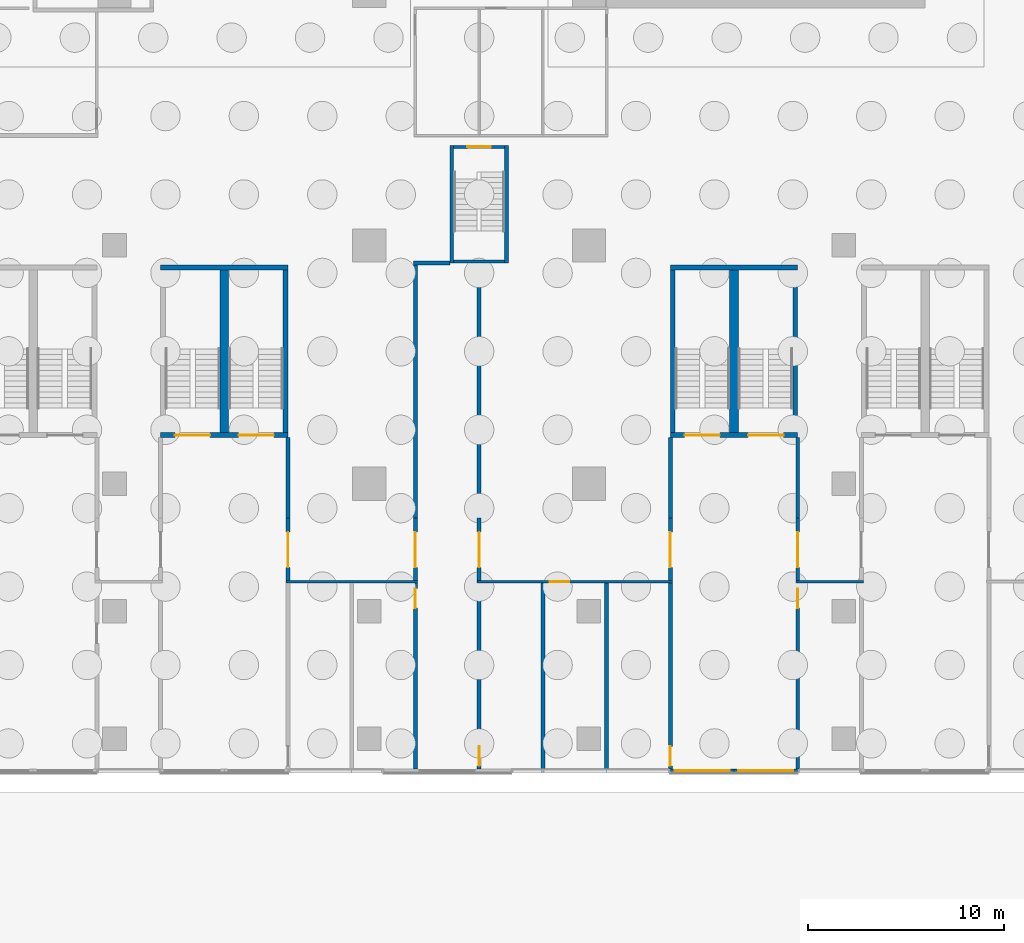
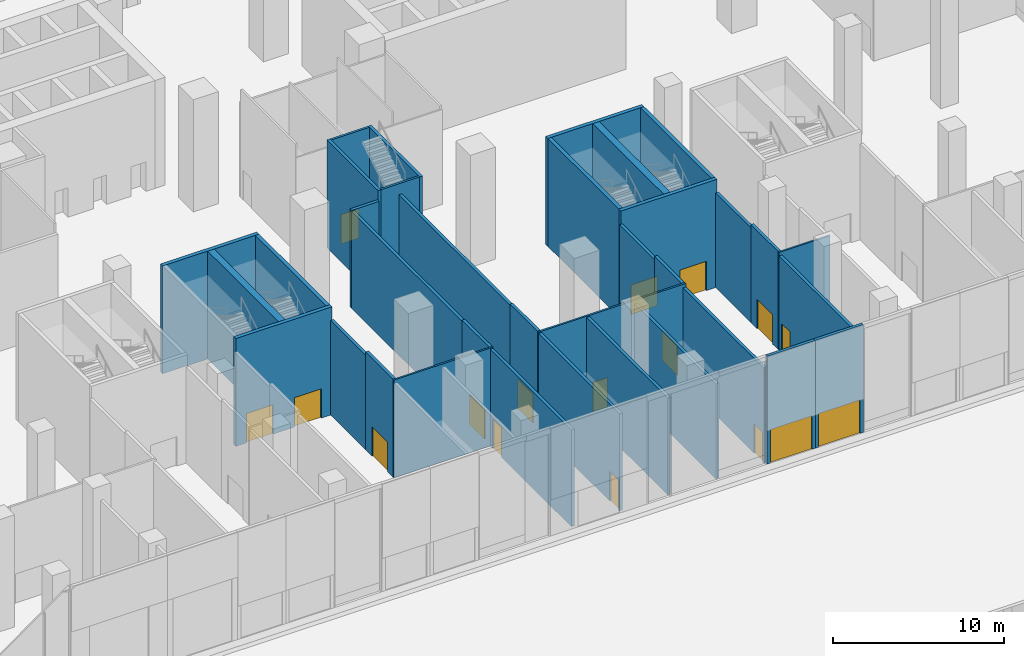
# One storey, part 17 of 27: 35 walls, 17 doors, 17 openings.
"""IFC4 building model written with IfcOpenShell, lengths in metres."""

from ifc_helpers import new_model, si_unit, direction, frame, frame_2d, origin, place, context, subcontext, project, spatial, rectangle, extrude, source, transform, mapped, material, layer, layer_set, type_object, element, fill, save


model = new_model("IFC4")

# Units and contexts
model_context = context("Model", 3, precision=1e-05, world=origin(), true_north=direction((0.0, 1.0)))
body_context = subcontext(model_context, "Body", "Model", "MODEL_VIEW")
ifc_project = project(units=[si_unit("LENGTHUNIT", "METRE"), si_unit("AREAUNIT", "SQUARE_METRE"), si_unit("VOLUMEUNIT", "CUBIC_METRE"), si_unit("PLANEANGLEUNIT", "RADIAN"), si_unit("MASSUNIT", "GRAM", prefix="KILO")], contexts=[model_context])

# Site, building, storey
site_placement = place(None, origin())
site = spatial("IfcSite", under=ifc_project, at=site_placement, CompositionType="ELEMENT")
building_placement = place(site_placement, origin())
building = spatial("IfcBuilding", under=site, at=building_placement, Name="Trellis Farm Tower", CompositionType="ELEMENT")
storey_placement = place(building_placement, origin())
storey = spatial("IfcBuildingStorey", under=building, at=storey_placement, Name="L00", CompositionType="ELEMENT", Elevation=0.0)

# Wall
ifc_material_1 = material(Name="Plasterboard on steel studs, mineral wool", Category="steel")
ifc_layer_1 = layer(ifc_material_1, 0.125)
ifc_layer_set_1 = layer_set([ifc_layer_1], Name="PARTITION 125 STUD EI 60")
wall_type_1 = type_object("IfcWallType", Name="PARTITION 125 STUD EI 60", PredefinedType="PARTITIONING", material=ifc_layer_set_1)
wall_1_placement = place(storey_placement, frame((-3.14990234375, -35.75, 0.0), z_axis=(0.0, 0.0, 1.0), x_axis=(-1.0, 0.0, 0.0)))
element("IfcWall", 1, at=wall_1_placement, inside=storey, type_object=wall_type_1, Name="Partition PW1", PredefinedType="PARTITIONING", context=body_context, shape_type="SweptSolid", body=[
    extrude(rectangle(XDim=6.7001953125, YDim=0.125, at=frame_2d((3.35009765625, 0.0))), origin(), (0.0, 0.0, 1.0), 6.99658203125),
])

# Wall, opening, door
wall_2_placement = place(storey_placement, frame((9.85009765625, -35.75, 0.0), z_axis=(0.0, 0.0, 1.0), x_axis=(-1.0, 0.0, 0.0)))
wall_2 = element("IfcWall", 2, at=wall_2_placement, inside=storey, type_object=wall_type_1, Name="Partition PW1", PredefinedType="PARTITIONING", context=body_context, shape_type="SweptSolid", body=[
    extrude(rectangle(XDim=9.9501953125, YDim=0.125, at=frame_2d((4.97509765625, 0.0))), origin(), (0.0, 0.0, 1.0), 6.99658203125),
])
shared_shape_1 = source(origin(), body_context, "Body", "SweptSolid", [
    extrude(rectangle(XDim=1.0, YDim=2.10009765625, at=frame_2d((0.5, 1.050048828125))), frame((0.0, 0.072509765625, 0.0), z_axis=(0.0, -1.0, 0.0), x_axis=(1.0, 0.0, 0.0)), (0.0, 0.0, 1.0), 0.14501953125),
])
opening_1_placement = place(wall_2_placement, frame((5.25, 0.0, 0.0)))
opening_1 = element("IfcOpeningElement", 3, at=opening_1_placement, cuts=wall_2, Name="Opening D309", PredefinedType="OPENING", context=body_context, shape_type="MappedRepresentation", body=[
    mapped(shared_shape_1, transform((0.0, 0.0, 0.0))),
])
ifc_material_2 = material(Name="Fire-rated timber door leaf in a hollow metal frame", Category="wood")
door_type_1 = type_object("IfcDoorType", Name="DOOR 1000x2100 FD60", OperationType="NOTDEFINED", PredefinedType="DOOR", material=ifc_material_2)
shared_shape_2 = source(origin(), body_context, "Body", "SweptSolid", [
    extrude(rectangle(XDim=1.0, YDim=2.10009765625, at=frame_2d((0.5, 1.050048828125))), frame((0.0, 0.02490234375, 0.0), z_axis=(0.0, -1.0, 0.0), x_axis=(1.0, 0.0, 0.0)), (0.0, 0.0, 1.0), 0.050048828125),
])
door_1_placement = place(opening_1_placement, origin())
door_1 = element("IfcDoor", 4, at=door_1_placement, inside=storey, type_object=door_type_1, Name="Door D309", OperationType="SINGLE_SWING_RIGHT", OverallHeight=2.10009765625, OverallWidth=1.0, PredefinedType="DOOR", context=body_context, shape_type="MappedRepresentation", body=[
    mapped(shared_shape_2, transform((0.0, 0.0, 0.0))),
])
fill(opening_1, door_1)

# Walls
ifc_material_3 = material(Name="Concrete C80/95", Category="concrete")
ifc_layer_2 = layer(ifc_material_3, 0.199951171875)
ifc_layer_set_2 = layer_set([ifc_layer_2], Name="CORE STAIR ENCLOSURE WALL 200 CONCRETE C80/95")
wall_type_2 = type_object("IfcWallType", Name="CORE STAIR ENCLOSURE WALL 200 CONCRETE C80/95", PredefinedType="SHEAR", material=ifc_layer_set_2)
shared_shape_3 = source(origin(), body_context, "Body", "SweptSolid", [
    extrude(rectangle(XDim=6.0, YDim=0.199951171875, at=frame_2d((3.0, 0.0))), origin(), (0.0, 0.0, 1.0), 7.699951171875),
])
for number, where, z_axis, x_axis, name in (
    (5, (1.39990234375, -13.5, 0.0), (0.0, 0.0, 1.0), (0.0, -1.0, 0.0), "Stair enclosure wall"),
    (6, (-1.39990234375, -13.5, 0.0), (0.0, 0.0, 1.0), (0.0, -1.0, 0.0), "Stair enclosure wall"),
):
    element("IfcWall", number, at=place(storey_placement, frame(where, z_axis=z_axis, x_axis=x_axis)), inside=storey, type_object=wall_type_2, Name=name, PredefinedType="SHEAR", context=body_context, shape_type="MappedRepresentation", body=[
        mapped(shared_shape_3, transform((0.0, 0.0, 0.0))),
    ])

# Wall, opening, door
ifc_layer_3 = layer(ifc_material_3, 0.14990234375)
ifc_layer_set_3 = layer_set([ifc_layer_3], Name="CORE STAIR ENCLOSURE WALL 150 CONCRETE C80/95")
wall_type_3 = type_object("IfcWallType", Name="CORE STAIR ENCLOSURE WALL 150 CONCRETE C80/95", PredefinedType="SHEAR", material=ifc_layer_set_3)
shared_shape_4 = source(origin(), body_context, "Body", "SweptSolid", [
    extrude(rectangle(XDim=2.60009765625, YDim=0.14990234375, at=frame_2d((1.300048828125, 0.0))), origin(), (0.0, 0.0, 1.0), 7.699951171875),
])
wall_3_placement = place(storey_placement, frame((1.300048828125, -13.574951171875, 0.0), z_axis=(0.0, 0.0, 1.0), x_axis=(-1.0, 0.0, 0.0)))
wall_3 = element("IfcWall", 7, at=wall_3_placement, inside=storey, type_object=wall_type_3, Name="Stair enclosure wall", PredefinedType="SHEAR", context=body_context, shape_type="MappedRepresentation", body=[
    mapped(shared_shape_4, transform((0.0, 0.0, 0.0))),
])
shared_shape_5 = source(origin(), body_context, "Body", "SweptSolid", [
    extrude(rectangle(XDim=1.199951171875, YDim=2.10009765625, at=frame_2d((0.60009765625, 1.050048828125))), frame((0.0, 0.0849609375, 0.0), z_axis=(0.0, -1.0, 0.0), x_axis=(1.0, 0.0, 0.0)), (0.0, 0.0, 1.0), 0.169921875),
])
opening_2_placement = place(wall_3_placement, frame((0.699951171875, 0.0, 0.0)))
opening_2 = element("IfcOpeningElement", 8, at=opening_2_placement, cuts=wall_3, Name="Opening DC174", PredefinedType="OPENING", context=body_context, shape_type="MappedRepresentation", body=[
    mapped(shared_shape_5, transform((0.0, 0.0, 0.0))),
])
ifc_material_4 = material(Name="Steel", Category="steel")
door_type_2 = type_object("IfcDoorType", Name="CORE FIRE DOOR 1200 X 2100", OperationType="NOTDEFINED", PredefinedType="DOOR", material=ifc_material_4)
shared_shape_6 = source(origin(), body_context, "Body", "SweptSolid", [
    extrude(rectangle(XDim=1.199951171875, YDim=2.10009765625, at=frame_2d((0.60009765625, 1.050048828125))), frame((0.0, 0.02490234375, 0.0), z_axis=(0.0, -1.0, 0.0), x_axis=(1.0, 0.0, 0.0)), (0.0, 0.0, 1.0), 0.050048828125),
])
door_2_placement = place(opening_2_placement, origin())
door_2 = element("IfcDoor", 9, at=door_2_placement, inside=storey, type_object=door_type_2, Name="Core door", OperationType="SINGLE_SWING_RIGHT", OverallHeight=2.10009765625, OverallWidth=1.199951171875, PredefinedType="DOOR", context=body_context, shape_type="MappedRepresentation", body=[
    mapped(shared_shape_6, transform((0.0, 0.0, 0.0))),
])
fill(opening_2, door_2)

# Wall
wall_4_placement = place(storey_placement, frame((1.300048828125, -19.425048828125, 0.0), z_axis=(0.0, 0.0, 1.0), x_axis=(-1.0, 0.0, 0.0)))
element("IfcWall", 10, at=wall_4_placement, inside=storey, type_object=wall_type_3, Name="Stair enclosure wall", PredefinedType="SHEAR", context=body_context, shape_type="MappedRepresentation", body=[
    mapped(shared_shape_4, transform((0.0, 0.0, 0.0))),
])

# Wall, openings, doors
ifc_layer_4 = layer(ifc_material_3, 0.25)
ifc_layer_set_4 = layer_set([ifc_layer_4], Name="CORE STAIR ENCLOSURE WALL 250 CONCRETE C80/95")
wall_type_4 = type_object("IfcWallType", Name="CORE STAIR ENCLOSURE WALL 250 CONCRETE C80/95", PredefinedType="SHEAR", material=ifc_layer_set_4)
shared_shape_7 = source(origin(), body_context, "Body", "SweptSolid", [
    extrude(rectangle(XDim=6.5, YDim=0.25, at=frame_2d((3.25, 0.0))), origin(), (0.0, 0.0, 1.0), 7.699951171875),
])
wall_5_placement = place(storey_placement, frame((-16.25, -28.27490234375, 0.0), z_axis=(0.0, 0.0, 1.0), x_axis=(1.0, 0.0, 0.0)))
wall_5 = element("IfcWall", 11, at=wall_5_placement, inside=storey, type_object=wall_type_4, Name="Podium stair enclosure wall", PredefinedType="SHEAR", context=body_context, shape_type="MappedRepresentation", body=[
    mapped(shared_shape_7, transform((0.0, 0.0, 0.0))),
])
shared_shape_8 = source(origin(), body_context, "Body", "SweptSolid", [
    extrude(rectangle(XDim=1.800048828125, YDim=2.10009765625, at=frame_2d((0.89990234375, 1.050048828125))), frame((0.0, 0.135009765625, 0.0), z_axis=(0.0, -1.0, 0.0), x_axis=(1.0, 0.0, 0.0)), (0.0, 0.0, 1.0), 0.27001953125),
])
opening_3_placement = place(wall_5_placement, frame((0.72509765625, 0.0, 0.0)))
opening_3 = element("IfcOpeningElement", 12, at=opening_3_placement, cuts=wall_5, Name="Opening DP11", PredefinedType="OPENING", context=body_context, shape_type="MappedRepresentation", body=[
    mapped(shared_shape_8, transform((0.0, 0.0, 0.0))),
])
opening_4_placement = place(wall_5_placement, frame((3.97509765625, 0.0, 0.0)))
opening_4 = element("IfcOpeningElement", 13, at=opening_4_placement, cuts=wall_5, Name="Opening DP12", PredefinedType="OPENING", context=body_context, shape_type="MappedRepresentation", body=[
    mapped(shared_shape_8, transform((0.0, 0.0, 0.0))),
])
door_type_3 = type_object("IfcDoorType", Name="CORE FIRE DOOR DOUBLE 1800 X 2100", OperationType="DOUBLE_DOOR_SINGLE_SWING", PredefinedType="DOOR", material=ifc_material_4)
shared_shape_9 = source(origin(), body_context, "Body", "SweptSolid", [
    extrude(rectangle(XDim=1.800048828125, YDim=2.10009765625, at=frame_2d((0.89990234375, 1.050048828125))), frame((0.0, 0.02490234375, 0.0), z_axis=(0.0, -1.0, 0.0), x_axis=(1.0, 0.0, 0.0)), (0.0, 0.0, 1.0), 0.050048828125),
])
door_3_placement = place(opening_3_placement, origin())
door_3 = element("IfcDoor", 14, at=door_3_placement, inside=storey, type_object=door_type_3, Name="Podium stair door", OperationType="DOUBLE_DOOR_SINGLE_SWING", OverallHeight=2.10009765625, OverallWidth=1.800048828125, PredefinedType="DOOR", context=body_context, shape_type="MappedRepresentation", body=[
    mapped(shared_shape_9, transform((0.0, 0.0, 0.0))),
])
fill(opening_3, door_3)
door_4_placement = place(opening_4_placement, origin())
door_4 = element("IfcDoor", 15, at=door_4_placement, inside=storey, type_object=door_type_3, Name="Podium stair door", OperationType="DOUBLE_DOOR_SINGLE_SWING", OverallHeight=2.10009765625, OverallWidth=1.800048828125, PredefinedType="DOOR", context=body_context, shape_type="MappedRepresentation", body=[
    mapped(shared_shape_9, transform((0.0, 0.0, 0.0))),
])
fill(opening_4, door_4)

# Wall
wall_6_placement = place(storey_placement, frame((-16.25, -19.72509765625, 0.0), z_axis=(0.0, 0.0, 1.0), x_axis=(1.0, 0.0, 0.0)))
element("IfcWall", 16, at=wall_6_placement, inside=storey, type_object=wall_type_4, Name="Podium stair enclosure wall", PredefinedType="SHEAR", context=body_context, shape_type="MappedRepresentation", body=[
    mapped(shared_shape_7, transform((0.0, 0.0, 0.0))),
])

# Wall, openings, doors
wall_7_placement = place(storey_placement, frame((9.75, -28.27490234375, 0.0), z_axis=(0.0, 0.0, 1.0), x_axis=(1.0, 0.0, 0.0)))
wall_7 = element("IfcWall", 17, at=wall_7_placement, inside=storey, type_object=wall_type_4, Name="Podium stair enclosure wall", PredefinedType="SHEAR", context=body_context, shape_type="MappedRepresentation", body=[
    mapped(shared_shape_7, transform((0.0, 0.0, 0.0))),
])
opening_5_placement = place(wall_7_placement, frame((0.72509765625, 0.0, 0.0)))
opening_5 = element("IfcOpeningElement", 18, at=opening_5_placement, cuts=wall_7, Name="Opening DP13", PredefinedType="OPENING", context=body_context, shape_type="MappedRepresentation", body=[
    mapped(shared_shape_8, transform((0.0, 0.0, 0.0))),
])
opening_6_placement = place(wall_7_placement, frame((3.97509765625, 0.0, 0.0)))
opening_6 = element("IfcOpeningElement", 19, at=opening_6_placement, cuts=wall_7, Name="Opening DP14", PredefinedType="OPENING", context=body_context, shape_type="MappedRepresentation", body=[
    mapped(shared_shape_8, transform((0.0, 0.0, 0.0))),
])
door_5_placement = place(opening_5_placement, origin())
door_5 = element("IfcDoor", 20, at=door_5_placement, inside=storey, type_object=door_type_3, Name="Podium stair door", OperationType="DOUBLE_DOOR_SINGLE_SWING", OverallHeight=2.10009765625, OverallWidth=1.800048828125, PredefinedType="DOOR", context=body_context, shape_type="MappedRepresentation", body=[
    mapped(shared_shape_9, transform((0.0, 0.0, 0.0))),
])
fill(opening_5, door_5)
door_6_placement = place(opening_6_placement, origin())
door_6 = element("IfcDoor", 21, at=door_6_placement, inside=storey, type_object=door_type_3, Name="Podium stair door", OperationType="DOUBLE_DOOR_SINGLE_SWING", OverallHeight=2.10009765625, OverallWidth=1.800048828125, PredefinedType="DOOR", context=body_context, shape_type="MappedRepresentation", body=[
    mapped(shared_shape_9, transform((0.0, 0.0, 0.0))),
])
fill(opening_6, door_6)

# Walls
wall_8_placement = place(storey_placement, frame((9.75, -19.72509765625, 0.0), z_axis=(0.0, 0.0, 1.0), x_axis=(1.0, 0.0, 0.0)))
element("IfcWall", 22, at=wall_8_placement, inside=storey, type_object=wall_type_4, Name="Podium stair enclosure wall", PredefinedType="SHEAR", context=body_context, shape_type="MappedRepresentation", body=[
    mapped(shared_shape_7, transform((0.0, 0.0, 0.0))),
])
shared_shape_10 = source(origin(), body_context, "Body", "SweptSolid", [
    extrude(rectangle(XDim=8.2998046875, YDim=0.25, at=frame_2d((4.14990234375, 0.0))), origin(), (0.0, 0.0, 1.0), 7.699951171875),
])
for number, where, z_axis, x_axis, name in (
    (23, (-9.875, -28.14990234375, 0.0), (0.0, 0.0, 1.0), (0.0, 1.0, 0.0), "Podium stair enclosure wall"),
    (24, (9.875, -28.14990234375, 0.0), (0.0, 0.0, 1.0), (0.0, 1.0, 0.0), "Podium stair enclosure wall"),
    (25, (16.125, -28.14990234375, 0.0), (0.0, 0.0, 1.0), (0.0, 1.0, 0.0), "Podium stair enclosure wall"),
):
    element("IfcWall", number, at=place(storey_placement, frame(where, z_axis=z_axis, x_axis=x_axis)), inside=storey, type_object=wall_type_4, Name=name, PredefinedType="SHEAR", context=body_context, shape_type="MappedRepresentation", body=[
        mapped(shared_shape_10, transform((0.0, 0.0, 0.0))),
    ])
ifc_layer_5 = layer(ifc_material_3, 0.43994140625)
ifc_layer_set_5 = layer_set([ifc_layer_5], Name="CORE STAIR ENCLOSURE WALL 440 CONCRETE C80/95")
wall_type_5 = type_object("IfcWallType", Name="CORE STAIR ENCLOSURE WALL 440 CONCRETE C80/95", PredefinedType="SHEAR", material=ifc_layer_set_5)
shared_shape_11 = source(origin(), body_context, "Body", "SweptSolid", [
    extrude(rectangle(XDim=8.2998046875, YDim=0.43994140625, at=frame_2d((4.14990234375, 0.0))), origin(), (0.0, 0.0, 1.0), 7.699951171875),
])
for number, where, z_axis, x_axis, name in (
    (26, (-13.0, -28.14990234375, 0.0), (0.0, 0.0, 1.0), (0.0, 1.0, 0.0), "Podium stair enclosure wall"),
    (27, (13.0, -28.14990234375, 0.0), (0.0, 0.0, 1.0), (0.0, 1.0, 0.0), "Podium stair enclosure wall"),
):
    element("IfcWall", number, at=place(storey_placement, frame(where, z_axis=z_axis, x_axis=x_axis)), inside=storey, type_object=wall_type_5, Name=name, PredefinedType="SHEAR", context=body_context, shape_type="MappedRepresentation", body=[
        mapped(shared_shape_11, transform((0.0, 0.0, 0.0))),
    ])

# Wall, opening, door
ifc_material_5 = material(Name="Sandstone faced insulated wall", Category="masonry")
ifc_layer_6 = layer(ifc_material_5, 0.199951171875)
ifc_layer_set_6 = layer_set([ifc_layer_6], Name="EXTERNAL INFILL WALL 200")
wall_type_6 = type_object("IfcWallType", Name="EXTERNAL INFILL WALL 200", PredefinedType="SOLIDWALL", material=ifc_layer_set_6)
shared_shape_12 = source(origin(), body_context, "Body", "SweptSolid", [
    extrude(rectangle(XDim=3.25, YDim=0.199951171875, at=frame_2d((1.625, 0.0))), origin(), (0.0, 0.0, 1.0), 7.699951171875),
])
wall_9_placement = place(storey_placement, frame((13.0, -45.39990234375, 0.0), z_axis=(0.0, 0.0, 1.0), x_axis=(-1.0, 0.0, 0.0)))
wall_9 = element("IfcWall", 28, at=wall_9_placement, inside=storey, type_object=wall_type_6, Name="EW1 23", PredefinedType="SOLIDWALL", context=body_context, shape_type="MappedRepresentation", body=[
    mapped(shared_shape_12, transform((0.0, 0.0, 0.0))),
])
shared_shape_13 = source(origin(), body_context, "Body", "SweptSolid", [
    extrude(rectangle(XDim=2.800048828125, YDim=2.39990234375, at=frame_2d((1.39990234375, 1.199951171875))), frame((0.0, 0.110107421875, 0.0), z_axis=(0.0, -1.0, 0.0), x_axis=(1.0, 0.0, 0.0)), (0.0, 0.0, 1.0), 0.22021484375),
])
opening_7_placement = place(wall_9_placement, frame((0.22509765625, 0.0, 0.0)))
opening_7 = element("IfcOpeningElement", 29, at=opening_7_placement, cuts=wall_9, Name="Opening ED4", PredefinedType="OPENING", context=body_context, shape_type="MappedRepresentation", body=[
    mapped(shared_shape_13, transform((0.0, 0.0, 0.0))),
])
ifc_material_6 = material(Name="Steel framed door", Category="steel")
door_type_4 = type_object("IfcDoorType", Name="EXIT DOOR 2800x2400", OperationType="DOUBLE_DOOR_SINGLE_SWING", PredefinedType="DOOR", material=ifc_material_6)
shared_shape_14 = source(origin(), body_context, "Body", "SweptSolid", [
    extrude(rectangle(XDim=2.800048828125, YDim=2.39990234375, at=frame_2d((1.39990234375, 1.199951171875))), frame((0.0, 0.02490234375, 0.0), z_axis=(0.0, -1.0, 0.0), x_axis=(1.0, 0.0, 0.0)), (0.0, 0.0, 1.0), 0.050048828125),
])
door_7_placement = place(opening_7_placement, origin())
door_7 = element("IfcDoor", 30, at=door_7_placement, inside=storey, type_object=door_type_4, Name="Exit door", OperationType="DOUBLE_DOOR_SINGLE_SWING", OverallHeight=2.39990234375, OverallWidth=2.800048828125, PredefinedType="DOOR", context=body_context, shape_type="MappedRepresentation", body=[
    mapped(shared_shape_14, transform((0.0, 0.0, 0.0))),
])
fill(opening_7, door_7)

wall_10_placement = place(storey_placement, frame((16.25, -45.39990234375, 0.0), z_axis=(0.0, 0.0, 1.0), x_axis=(-1.0, 0.0, 0.0)))
wall_10 = element("IfcWall", 31, at=wall_10_placement, inside=storey, type_object=wall_type_6, Name="EW1 24", PredefinedType="SOLIDWALL", context=body_context, shape_type="MappedRepresentation", body=[
    mapped(shared_shape_12, transform((0.0, 0.0, 0.0))),
])
opening_8_placement = place(wall_10_placement, frame((0.22509765625, 0.0, 0.0)))
opening_8 = element("IfcOpeningElement", 32, at=opening_8_placement, cuts=wall_10, Name="Opening ED4", PredefinedType="OPENING", context=body_context, shape_type="MappedRepresentation", body=[
    mapped(shared_shape_13, transform((0.0, 0.0, 0.0))),
])
door_8_placement = place(opening_8_placement, origin())
door_8 = element("IfcDoor", 33, at=door_8_placement, inside=storey, type_object=door_type_4, Name="Exit door", OperationType="DOUBLE_DOOR_SINGLE_SWING", OverallHeight=2.39990234375, OverallWidth=2.800048828125, PredefinedType="DOOR", context=body_context, shape_type="MappedRepresentation", body=[
    mapped(shared_shape_14, transform((0.0, 0.0, 0.0))),
])
fill(opening_8, door_8)

ifc_material_7 = material(Name="Lightweight blockwork, plastered", Category="masonry")
ifc_layer_7 = layer(ifc_material_7, 0.199951171875)
ifc_layer_set_7 = layer_set([ifc_layer_7], Name="BLOCK WALL 200 EI 120")
wall_type_7 = type_object("IfcWallType", Name="BLOCK WALL 200 EI 120", PredefinedType="PARTITIONING", material=ifc_layer_set_7)
shared_shape_15 = source(origin(), body_context, "Body", "SweptSolid", [
    extrude(rectangle(XDim=3.1875, YDim=0.199951171875, at=frame_2d((1.59375, 0.0))), origin(), (0.0, 0.0, 1.0), 6.99658203125),
])
wall_11_placement = place(storey_placement, frame((-9.75, -32.5, 0.0), z_axis=(0.0, 0.0, 1.0), x_axis=(0.0, -1.0, 0.0)))
wall_11 = element("IfcWall", 34, at=wall_11_placement, inside=storey, type_object=wall_type_7, Name="Partition PW3", PredefinedType="PARTITIONING", context=body_context, shape_type="MappedRepresentation", body=[
    mapped(shared_shape_15, transform((0.0, 0.0, 0.0))),
])
shared_shape_16 = source(origin(), body_context, "Body", "SweptSolid", [
    extrude(rectangle(XDim=1.800048828125, YDim=2.10009765625, at=frame_2d((0.89990234375, 1.050048828125))), frame((0.0, 0.110107421875, 0.0), z_axis=(0.0, -1.0, 0.0), x_axis=(1.0, 0.0, 0.0)), (0.0, 0.0, 1.0), 0.22021484375),
])
opening_9_placement = place(wall_11_placement, frame((0.72509765625, 0.0, 0.0)))
opening_9 = element("IfcOpeningElement", 35, at=opening_9_placement, cuts=wall_11, Name="Opening D405", PredefinedType="OPENING", context=body_context, shape_type="MappedRepresentation", body=[
    mapped(shared_shape_16, transform((0.0, 0.0, 0.0))),
])
door_type_5 = type_object("IfcDoorType", Name="DOOR PAIR 1800x2100 FD60", OperationType="NOTDEFINED", PredefinedType="DOOR", material=ifc_material_2)
door_9_placement = place(opening_9_placement, origin())
door_9 = element("IfcDoor", 36, at=door_9_placement, inside=storey, type_object=door_type_5, Name="Door D405", OperationType="DOUBLE_DOOR_SINGLE_SWING", OverallHeight=2.10009765625, OverallWidth=1.800048828125, PredefinedType="DOOR", context=body_context, shape_type="MappedRepresentation", body=[
    mapped(shared_shape_9, transform((0.0, 0.0, 0.0))),
])
fill(opening_9, door_9)

wall_12_placement = place(storey_placement, frame((-3.25, -35.6875, 0.0), z_axis=(0.0, 0.0, 1.0), x_axis=(0.0, 1.0, 0.0)))
wall_12 = element("IfcWall", 37, at=wall_12_placement, inside=storey, type_object=wall_type_7, Name="Partition PW3", PredefinedType="PARTITIONING", context=body_context, shape_type="MappedRepresentation", body=[
    mapped(shared_shape_15, transform((0.0, 0.0, 0.0))),
])
opening_10_placement = place(wall_12_placement, frame((0.66259765625, 0.0, 0.0)))
opening_10 = element("IfcOpeningElement", 38, at=opening_10_placement, cuts=wall_12, Name="Opening D406", PredefinedType="OPENING", context=body_context, shape_type="MappedRepresentation", body=[
    mapped(shared_shape_16, transform((0.0, 0.0, 0.0))),
])
door_10_placement = place(opening_10_placement, origin())
door_10 = element("IfcDoor", 39, at=door_10_placement, inside=storey, type_object=door_type_5, Name="Door D406", OperationType="DOUBLE_DOOR_SINGLE_SWING", OverallHeight=2.10009765625, OverallWidth=1.800048828125, PredefinedType="DOOR", context=body_context, shape_type="MappedRepresentation", body=[
    mapped(shared_shape_9, transform((0.0, 0.0, 0.0))),
])
fill(opening_10, door_10)

wall_13_placement = place(storey_placement, frame((0.0, -32.5, 0.0), z_axis=(0.0, 0.0, 1.0), x_axis=(0.0, -1.0, 0.0)))
wall_13 = element("IfcWall", 40, at=wall_13_placement, inside=storey, type_object=wall_type_7, Name="Partition PW3", PredefinedType="PARTITIONING", context=body_context, shape_type="MappedRepresentation", body=[
    mapped(shared_shape_15, transform((0.0, 0.0, 0.0))),
])
opening_11_placement = place(wall_13_placement, frame((0.72509765625, 0.0, 0.0)))
opening_11 = element("IfcOpeningElement", 41, at=opening_11_placement, cuts=wall_13, Name="Opening D407", PredefinedType="OPENING", context=body_context, shape_type="MappedRepresentation", body=[
    mapped(shared_shape_16, transform((0.0, 0.0, 0.0))),
])
door_11_placement = place(opening_11_placement, origin())
door_11 = element("IfcDoor", 42, at=door_11_placement, inside=storey, type_object=door_type_5, Name="Door D407", OperationType="DOUBLE_DOOR_SINGLE_SWING", OverallHeight=2.10009765625, OverallWidth=1.800048828125, PredefinedType="DOOR", context=body_context, shape_type="MappedRepresentation", body=[
    mapped(shared_shape_9, transform((0.0, 0.0, 0.0))),
])
fill(opening_11, door_11)

wall_14_placement = place(storey_placement, frame((9.75, -35.6875, 0.0), z_axis=(0.0, 0.0, 1.0), x_axis=(0.0, 1.0, 0.0)))
wall_14 = element("IfcWall", 43, at=wall_14_placement, inside=storey, type_object=wall_type_7, Name="Partition PW3", PredefinedType="PARTITIONING", context=body_context, shape_type="MappedRepresentation", body=[
    mapped(shared_shape_15, transform((0.0, 0.0, 0.0))),
])
opening_12_placement = place(wall_14_placement, frame((0.66259765625, 0.0, 0.0)))
opening_12 = element("IfcOpeningElement", 44, at=opening_12_placement, cuts=wall_14, Name="Opening D408", PredefinedType="OPENING", context=body_context, shape_type="MappedRepresentation", body=[
    mapped(shared_shape_16, transform((0.0, 0.0, 0.0))),
])
door_12_placement = place(opening_12_placement, origin())
door_12 = element("IfcDoor", 45, at=door_12_placement, inside=storey, type_object=door_type_5, Name="Door D408", OperationType="DOUBLE_DOOR_SINGLE_SWING", OverallHeight=2.10009765625, OverallWidth=1.800048828125, PredefinedType="DOOR", context=body_context, shape_type="MappedRepresentation", body=[
    mapped(shared_shape_9, transform((0.0, 0.0, 0.0))),
])
fill(opening_12, door_12)

wall_15_placement = place(storey_placement, frame((16.25, -32.5, 0.0), z_axis=(0.0, 0.0, 1.0), x_axis=(0.0, -1.0, 0.0)))
wall_15 = element("IfcWall", 46, at=wall_15_placement, inside=storey, type_object=wall_type_7, Name="Partition PW3", PredefinedType="PARTITIONING", context=body_context, shape_type="MappedRepresentation", body=[
    mapped(shared_shape_15, transform((0.0, 0.0, 0.0))),
])
opening_13_placement = place(wall_15_placement, frame((0.72509765625, 0.0, 0.0)))
opening_13 = element("IfcOpeningElement", 47, at=opening_13_placement, cuts=wall_15, Name="Opening D409", PredefinedType="OPENING", context=body_context, shape_type="MappedRepresentation", body=[
    mapped(shared_shape_16, transform((0.0, 0.0, 0.0))),
])
door_13_placement = place(opening_13_placement, origin())
door_13 = element("IfcDoor", 48, at=door_13_placement, inside=storey, type_object=door_type_5, Name="Door D409", OperationType="DOUBLE_DOOR_SINGLE_SWING", OverallHeight=2.10009765625, OverallWidth=1.800048828125, PredefinedType="DOOR", context=body_context, shape_type="MappedRepresentation", body=[
    mapped(shared_shape_9, transform((0.0, 0.0, 0.0))),
])
fill(opening_13, door_13)

# Walls
shared_shape_17 = source(origin(), body_context, "Body", "SweptSolid", [
    extrude(rectangle(XDim=4.10009765625, YDim=0.199951171875, at=frame_2d((2.050048828125, 0.0))), origin(), (0.0, 0.0, 1.0), 6.76171875),
])
for number, where, z_axis, x_axis, name in (
    (49, (-9.75, -32.5, 0.0), (0.0, 0.0, 1.0), (0.0, 1.0, 0.0), "Partition PW3"),
    (50, (9.75, -32.5, 0.0), (0.0, 0.0, 1.0), (0.0, 1.0, 0.0), "Partition PW3"),
    (51, (16.25, -32.5, 0.0), (0.0, 0.0, 1.0), (0.0, 1.0, 0.0), "Partition PW3"),
):
    element("IfcWall", number, at=place(storey_placement, frame(where, z_axis=z_axis, x_axis=x_axis)), inside=storey, type_object=wall_type_7, Name=name, PredefinedType="PARTITIONING", context=body_context, shape_type="MappedRepresentation", body=[
        mapped(shared_shape_17, transform((0.0, 0.0, 0.0))),
    ])
shared_shape_18 = source(origin(), body_context, "Body", "SweptSolid", [
    extrude(rectangle(XDim=9.487548828125, YDim=0.199951171875, at=frame_2d((4.74365234375, 0.0))), origin(), (0.0, 0.0, 1.0), 6.76171875),
])
wall_16_placement = place(storey_placement, frame((6.5, -45.300048828125, 0.0), z_axis=(0.0, 0.0, 1.0), x_axis=(0.0, 1.0, 0.0)))
element("IfcWall", 52, at=wall_16_placement, inside=storey, type_object=wall_type_7, Name="Partition PW3", PredefinedType="PARTITIONING", context=body_context, shape_type="MappedRepresentation", body=[
    mapped(shared_shape_18, transform((0.0, 0.0, 0.0))),
])

# Wall, opening, door
wall_17_placement = place(storey_placement, frame((9.75, -45.300048828125, 0.0), z_axis=(0.0, 0.0, 1.0), x_axis=(0.0, 1.0, 0.0)))
wall_17 = element("IfcWall", 53, at=wall_17_placement, inside=storey, type_object=wall_type_7, Name="Partition PW3", PredefinedType="PARTITIONING", context=body_context, shape_type="MappedRepresentation", body=[
    mapped(shared_shape_18, transform((0.0, 0.0, 0.0))),
])
shared_shape_19 = source(origin(), body_context, "Body", "SweptSolid", [
    extrude(rectangle(XDim=1.0, YDim=2.10009765625, at=frame_2d((0.5, 1.050048828125))), frame((0.0, 0.110107421875, 0.0), z_axis=(0.0, -1.0, 0.0), x_axis=(1.0, 0.0, 0.0)), (0.0, 0.0, 1.0), 0.22021484375),
])
opening_14_placement = place(wall_17_placement, frame((0.14990234375, 0.0, 0.0)))
opening_14 = element("IfcOpeningElement", 54, at=opening_14_placement, cuts=wall_17, Name="Opening D304", PredefinedType="OPENING", context=body_context, shape_type="MappedRepresentation", body=[
    mapped(shared_shape_19, transform((0.0, 0.0, 0.0))),
])
door_14_placement = place(opening_14_placement, origin())
door_14 = element("IfcDoor", 55, at=door_14_placement, inside=storey, type_object=door_type_1, Name="Door D304", OperationType="SINGLE_SWING_LEFT", OverallHeight=2.10009765625, OverallWidth=1.0, PredefinedType="DOOR", context=body_context, shape_type="MappedRepresentation", body=[
    mapped(shared_shape_2, transform((0.0, 0.0, 0.0))),
])
fill(opening_14, door_14)

wall_18_placement = place(storey_placement, frame((16.25, -35.8125, 0.0), z_axis=(0.0, 0.0, 1.0), x_axis=(0.0, -1.0, 0.0)))
wall_18 = element("IfcWall", 56, at=wall_18_placement, inside=storey, type_object=wall_type_7, Name="Partition PW3", PredefinedType="PARTITIONING", context=body_context, shape_type="MappedRepresentation", body=[
    mapped(shared_shape_18, transform((0.0, 0.0, 0.0))),
])
opening_15_placement = place(wall_18_placement, frame((0.28759765625, 0.0, 0.0)))
opening_15 = element("IfcOpeningElement", 57, at=opening_15_placement, cuts=wall_18, Name="Opening D308", PredefinedType="OPENING", context=body_context, shape_type="MappedRepresentation", body=[
    mapped(shared_shape_19, transform((0.0, 0.0, 0.0))),
])
door_15_placement = place(opening_15_placement, origin())
door_15 = element("IfcDoor", 58, at=door_15_placement, inside=storey, type_object=door_type_1, Name="Door D308", OperationType="SINGLE_SWING_LEFT", OverallHeight=2.10009765625, OverallWidth=1.0, PredefinedType="DOOR", context=body_context, shape_type="MappedRepresentation", body=[
    mapped(shared_shape_2, transform((0.0, 0.0, 0.0))),
])
fill(opening_15, door_15)

# Wall
shared_shape_20 = source(origin(), body_context, "Body", "SweptSolid", [
    extrude(rectangle(XDim=12.89990234375, YDim=0.199951171875, at=frame_2d((6.449951171875, 0.0))), origin(), (0.0, 0.0, 1.0), 6.917724609375),
])
wall_19_placement = place(storey_placement, frame((-3.25, -32.5, 0.0), z_axis=(0.0, 0.0, 1.0), x_axis=(0.0, 1.0, 0.0)))
element("IfcWall", 59, at=wall_19_placement, inside=storey, type_object=wall_type_7, Name="Partition PW3", PredefinedType="PARTITIONING", context=body_context, shape_type="MappedRepresentation", body=[
    mapped(shared_shape_20, transform((0.0, 0.0, 0.0))),
])

# Wall, opening, door
shared_shape_21 = source(origin(), body_context, "Body", "SweptSolid", [
    extrude(rectangle(XDim=9.487548828125, YDim=0.199951171875, at=frame_2d((4.74365234375, 0.0))), origin(), (0.0, 0.0, 1.0), 6.917724609375),
])
wall_20_placement = place(storey_placement, frame((-3.25, -45.300048828125, 0.0), z_axis=(0.0, 0.0, 1.0), x_axis=(0.0, 1.0, 0.0)))
wall_20 = element("IfcWall", 60, at=wall_20_placement, inside=storey, type_object=wall_type_7, Name="Partition PW3", PredefinedType="PARTITIONING", context=body_context, shape_type="MappedRepresentation", body=[
    mapped(shared_shape_21, transform((0.0, 0.0, 0.0))),
])
opening_16_placement = place(wall_20_placement, frame((8.199951171875, 0.0, 0.0)))
opening_16 = element("IfcOpeningElement", 61, at=opening_16_placement, cuts=wall_20, Name="Opening D307", PredefinedType="OPENING", context=body_context, shape_type="MappedRepresentation", body=[
    mapped(shared_shape_19, transform((0.0, 0.0, 0.0))),
])
door_16_placement = place(opening_16_placement, origin())
door_16 = element("IfcDoor", 62, at=door_16_placement, inside=storey, type_object=door_type_1, Name="Door D307", OperationType="SINGLE_SWING_RIGHT", OverallHeight=2.10009765625, OverallWidth=1.0, PredefinedType="DOOR", context=body_context, shape_type="MappedRepresentation", body=[
    mapped(shared_shape_2, transform((0.0, 0.0, 0.0))),
])
fill(opening_16, door_16)

wall_21_placement = place(storey_placement, frame((0.0, -35.8125, 0.0), z_axis=(0.0, 0.0, 1.0), x_axis=(0.0, -1.0, 0.0)))
wall_21 = element("IfcWall", 63, at=wall_21_placement, inside=storey, type_object=wall_type_7, Name="Partition PW3", PredefinedType="PARTITIONING", context=body_context, shape_type="MappedRepresentation", body=[
    mapped(shared_shape_21, transform((0.0, 0.0, 0.0))),
])
opening_17_placement = place(wall_21_placement, frame((8.33740234375, 0.0, 0.0)))
opening_17 = element("IfcOpeningElement", 64, at=opening_17_placement, cuts=wall_21, Name="Opening D303", PredefinedType="OPENING", context=body_context, shape_type="MappedRepresentation", body=[
    mapped(shared_shape_19, transform((0.0, 0.0, 0.0))),
])
door_17_placement = place(opening_17_placement, origin())
door_17 = element("IfcDoor", 65, at=door_17_placement, inside=storey, type_object=door_type_1, Name="Door D303", OperationType="SINGLE_SWING_RIGHT", OverallHeight=2.10009765625, OverallWidth=1.0, PredefinedType="DOOR", context=body_context, shape_type="MappedRepresentation", body=[
    mapped(shared_shape_2, transform((0.0, 0.0, 0.0))),
])
fill(opening_17, door_17)

# Walls
wall_22_placement = place(storey_placement, frame((3.25, -45.300048828125, 0.0), z_axis=(0.0, 0.0, 1.0), x_axis=(0.0, 1.0, 0.0)))
element("IfcWall", 66, at=wall_22_placement, inside=storey, type_object=wall_type_7, Name="Partition PW3", PredefinedType="PARTITIONING", context=body_context, shape_type="MappedRepresentation", body=[
    mapped(shared_shape_21, transform((0.0, 0.0, 0.0))),
])
shared_shape_22 = source(origin(), body_context, "Body", "SweptSolid", [
    extrude(rectangle(XDim=13.0, YDim=0.199951171875, at=frame_2d((6.5, 0.0))), origin(), (0.0, 0.0, 1.0), 6.917724609375),
])
wall_23_placement = place(storey_placement, frame((0.0, -32.5, 0.0), z_axis=(0.0, 0.0, 1.0), x_axis=(0.0, 1.0, 0.0)))
element("IfcWall", 67, at=wall_23_placement, inside=storey, type_object=wall_type_7, Name="Partition PW3", PredefinedType="PARTITIONING", context=body_context, shape_type="MappedRepresentation", body=[
    mapped(shared_shape_22, transform((0.0, 0.0, 0.0))),
])
shared_shape_23 = source(origin(), body_context, "Body", "SweptSolid", [
    extrude(rectangle(XDim=3.4501953125, YDim=0.125, at=frame_2d((1.72509765625, 0.0))), origin(), (0.0, 0.0, 1.0), 6.99658203125),
])
wall_24_placement = place(storey_placement, frame((19.60009765625, -35.75, 0.0), z_axis=(0.0, 0.0, 1.0), x_axis=(-1.0, 0.0, 0.0)))
element("IfcWall", 68, at=wall_24_placement, inside=storey, type_object=wall_type_1, Name="Partition PW1", PredefinedType="PARTITIONING", context=body_context, shape_type="MappedRepresentation", body=[
    mapped(shared_shape_23, transform((0.0, 0.0, 0.0))),
])
shared_shape_24 = source(origin(), body_context, "Body", "SweptSolid", [
    extrude(rectangle(XDim=1.85009765625, YDim=0.199951171875, at=frame_2d((0.925048828125, 0.0))), origin(), (0.0, 0.0, 1.0), 6.99658203125),
])
wall_25_placement = place(storey_placement, frame((-3.35009765625, -19.5, 0.0), z_axis=(0.0, 0.0, 1.0), x_axis=(1.0, 0.0, 0.0)))
element("IfcWall", 69, at=wall_25_placement, inside=storey, type_object=wall_type_7, Name="Partition PW3", PredefinedType="PARTITIONING", context=body_context, shape_type="MappedRepresentation", body=[
    mapped(shared_shape_24, transform((0.0, 0.0, 0.0))),
])

save(model, "model.ifc")
